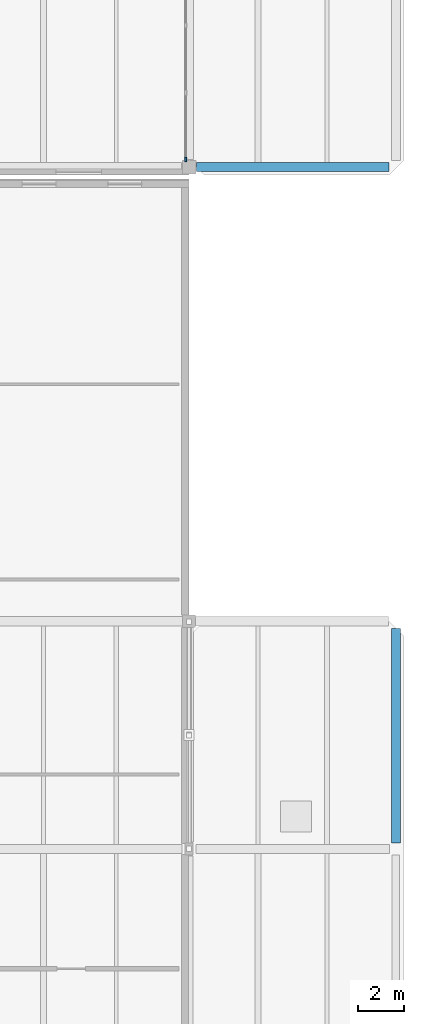
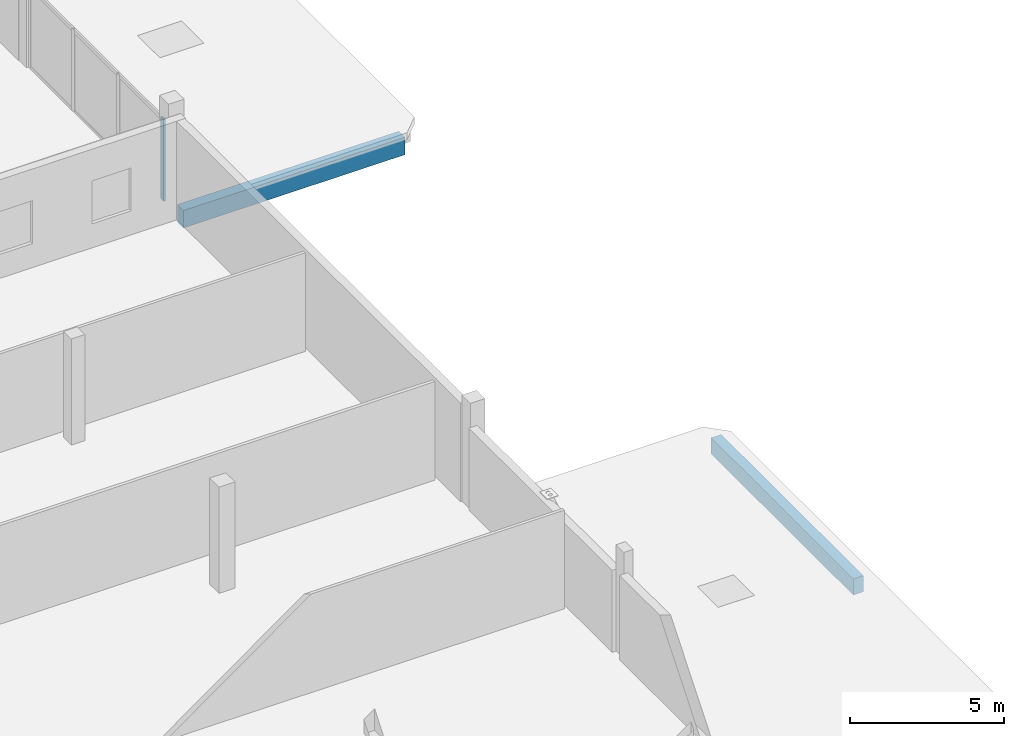
# One storey, part 27 of 66: 2 beams, 1 member, 1 element without a shape of its own.
"""IFC4 building model written with IfcOpenShell, lengths in metres."""

from ifc_helpers import new_model, si_unit, direction, frame, origin, origin_2d, place, context, subcontext, project, spatial, rectangle, extrude, material, layer, layer_set, material_profile, profile_set, type_object, element, aggregate, save


model = new_model("IFC4")

# Units and contexts
model_context = context("Model", 3, precision=1e-05, world=origin(), true_north=direction((0.0, 1.0)))
body_context = subcontext(model_context, "Body", "Model", "MODEL_VIEW")
ifc_project = project(units=[si_unit("LENGTHUNIT", "METRE"), si_unit("AREAUNIT", "SQUARE_METRE"), si_unit("VOLUMEUNIT", "CUBIC_METRE"), si_unit("PLANEANGLEUNIT", "RADIAN"), si_unit("MASSUNIT", "GRAM", prefix="KILO")], contexts=[model_context])

# Site, building, storey
site_placement = place(None, origin())
site = spatial("IfcSite", under=ifc_project, at=site_placement, CompositionType="ELEMENT")
building_placement = place(site_placement, origin())
building = spatial("IfcBuilding", under=site, at=building_placement, Name="Birchvale Park Specialist Clinic", CompositionType="ELEMENT")
storey_placement = place(building_placement, frame((0.0, 0.0, 5.39990234375)))
storey = spatial("IfcBuildingStorey", under=building, at=storey_placement, Name="L01", CompositionType="ELEMENT", Elevation=5.39990234375)

# Beams
ifc_material_1 = material(Name="Concrete C40/50", Category="concrete")
ifc_material_profile_1 = material_profile(ifc_material_1, rectangle(XDim=0.39990234375, YDim=0.68994140625, at=origin_2d()), Name="RCB-400x690")
ifc_profile_set_1 = profile_set([ifc_material_profile_1], Name="Concrete C40/50")
beam_type_1 = type_object("IfcBeamType", Name="BM-EXT-BG4", PredefinedType="BEAM", material=ifc_profile_set_1)
beam_1_placement = place(storey_placement, frame((156.114990234375, 63.949951171875, -0.619873046875), z_axis=(1.0, 0.0, 0.0), x_axis=(0.0, 1.0, 0.0)))
element("IfcBeam", 1, at=beam_1_placement, inside=storey, type_object=beam_type_1, Name="V6 L01 X girder 4", PredefinedType="BEAM", context=body_context, shape_type="SweptSolid", body=[
    extrude(rectangle(XDim=0.39990234375, YDim=0.68994140625, at=origin_2d()), origin(), (0.0, 0.0, 1.0), 8.294921875),
])
ifc_material_profile_2 = material_profile(ifc_material_1, rectangle(XDim=0.3798828125, YDim=0.639892578125, at=origin_2d()), Name="RCB-380x640")
ifc_profile_set_2 = profile_set([ifc_material_profile_2], Name="Concrete C40/50")
beam_type_2 = type_object("IfcBeamType", Name="BM-EXT-BG5", PredefinedType="BEAM", material=ifc_profile_set_2)
beam_2_placement = place(storey_placement, frame((164.699951171875, 34.864990234375, -0.594970703125), z_axis=(0.0, 1.0, 0.0), x_axis=(-1.0, 0.0, 0.0)))
element("IfcBeam", 2, at=beam_2_placement, inside=storey, type_object=beam_type_2, Name="V5 L01 Y girder 70", PredefinedType="BEAM", context=body_context, shape_type="SweptSolid", body=[
    extrude(rectangle(XDim=0.3798828125, YDim=0.639892578125, at=origin_2d()), origin(), (0.0, 0.0, 1.0), 9.219970703125),
])

# Curtain wall, member
ifc_material_2 = material(Name="Thermally broken anodised aluminium", Category="aluminium")
ifc_layer = layer(ifc_material_2, 0.2099609375)
ifc_layer_set = layer_set([ifc_layer], Name="Thermally broken anodised aluminium")
curtain_wall_type = type_object("IfcCurtainWallType", Name="CW-U3", PredefinedType="USERDEFINED", material=ifc_layer_set)
curtain_wall_placement = place(storey_placement, origin())
curtain_wall = element("IfcCurtainWall", 3, at=curtain_wall_placement, inside=storey, type_object=curtain_wall_type, Name="V6 L01 glazed curtain wall 95", ObjectType="UNITISED", PredefinedType="USERDEFINED")
ifc_material_profile_3 = material_profile(ifc_material_2, rectangle(XDim=0.070068359375, YDim=0.199951171875, at=origin_2d()), Name="CWM-70x200")
ifc_profile_set_3 = profile_set([ifc_material_profile_3], Name="Thermally broken anodised aluminium")
member_type = type_object("IfcMemberType", Name="CWM3", PredefinedType="MULLION", material=ifc_profile_set_3)
member_placement = place(storey_placement, frame((155.655029296875, 64.27490234375, 0.0), z_axis=(0.0, 0.0, 1.0), x_axis=(-1.0, 0.0, 0.0)))
member = element("IfcMember", 4, at=member_placement, type_object=member_type, Name="CW mullion 1", PredefinedType="MULLION", context=body_context, shape_type="SweptSolid", body=[
    extrude(rectangle(XDim=0.070068359375, YDim=0.199951171875, at=origin_2d()), origin(), (0.0, 0.0, 1.0), 3.2451171875),
])
aggregate(curtain_wall, [member])

save(model, "model.ifc")
